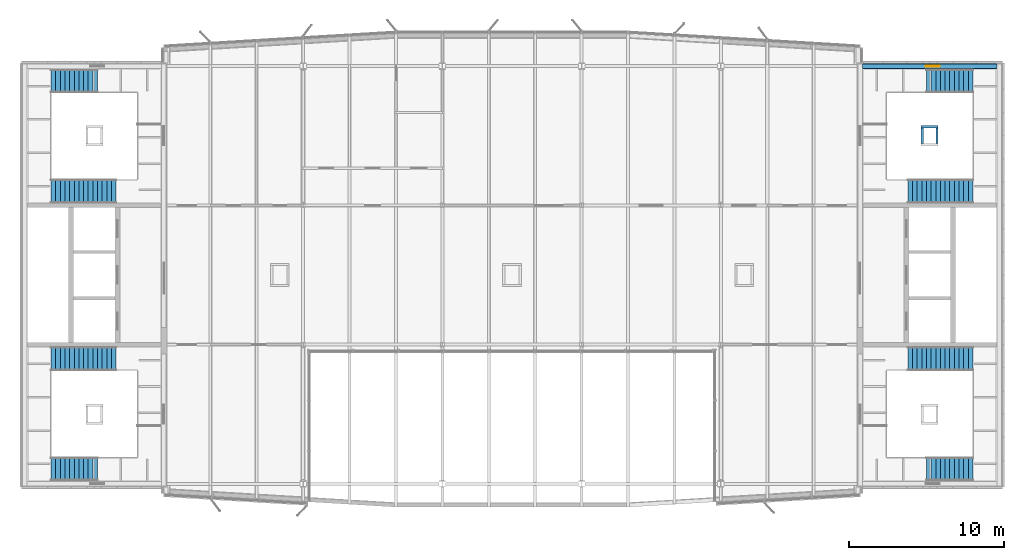
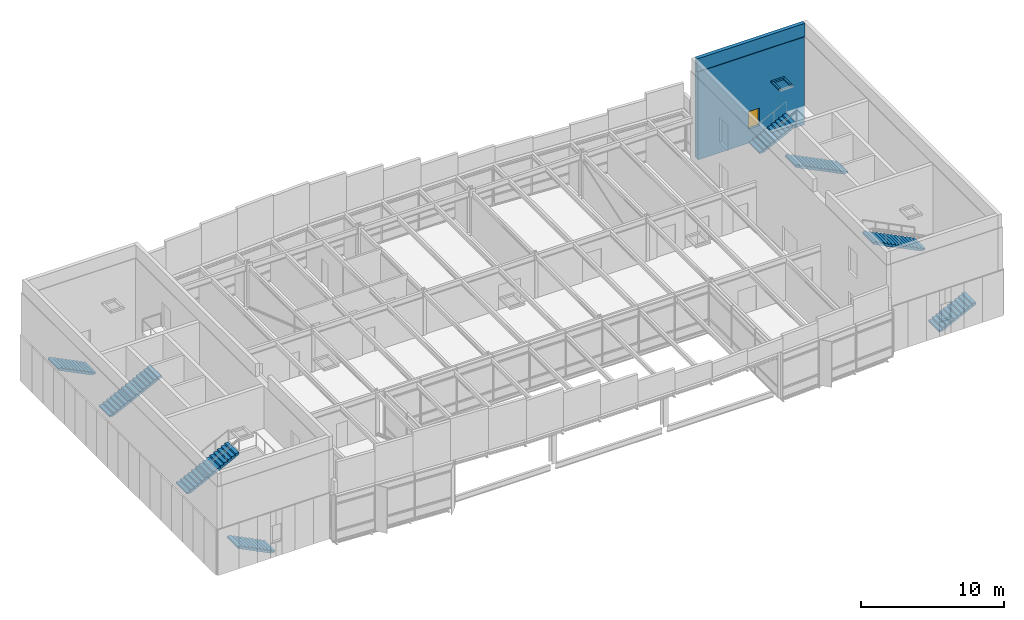
# One storey, part 20 of 23: 8 stair flights, 5 walls, 1 window, 1 opening, 4 elements without a shape of their own.
"""IFC4 building model written with IfcOpenShell, lengths in metres."""

from ifc_helpers import new_model, si_unit, direction, frame, frame_2d, origin, place, context, subcontext, project, spatial, polyline, rectangle, outline, extrude, material, layer, layer_set, type_object, element, fill, aggregate, save


model = new_model("IFC4")

# Units and contexts
model_context = context("Model", 3, precision=1e-05, world=origin(), true_north=direction((0.0, 1.0)))
body_context = subcontext(model_context, "Body", "Model", "MODEL_VIEW")
ifc_project = project(units=[si_unit("LENGTHUNIT", "METRE"), si_unit("AREAUNIT", "SQUARE_METRE"), si_unit("VOLUMEUNIT", "CUBIC_METRE"), si_unit("PLANEANGLEUNIT", "RADIAN"), si_unit("MASSUNIT", "GRAM", prefix="KILO")], contexts=[model_context])

# Site, building, storey
site_placement = place(None, origin())
site = spatial("IfcSite", under=ifc_project, at=site_placement, CompositionType="ELEMENT")
building_placement = place(site_placement, origin())
building = spatial("IfcBuilding", under=site, at=building_placement, Name="Azimuth Sports and Learning Centre", CompositionType="ELEMENT")
storey_placement = place(building_placement, frame((0.0, 0.0, 75.300048828125)))
storey = spatial("IfcBuildingStorey", under=building, at=storey_placement, Name="L17", CompositionType="ELEMENT", Elevation=75.300048828125)

# Wall
ifc_material_1 = material(Name="Reinforced masonry parapet", Category="masonry")
ifc_layer_1 = layer(ifc_material_1, 0.300048828125)
ifc_layer_set_1 = layer_set([ifc_layer_1], Name="Reinforced masonry parapet")
wall_type_1 = type_object("IfcWallType", Name="Parapet wall 300", PredefinedType="PARAPET", material=ifc_layer_set_1)
wall_1_placement = place(storey_placement, frame((108.14990234375, 117.0, 7.5), z_axis=(0.0, 0.0, 1.0), x_axis=(1.0, 0.0, 0.0)))
element("IfcWall", 1, at=wall_1_placement, inside=storey, type_object=wall_type_1, Name="Crown parapet E N", PredefinedType="PARAPET", context=body_context, shape_type="SweptSolid", body=[
    extrude(rectangle(XDim=8.7001953125, YDim=0.300048828125, at=frame_2d((4.35009765625, 0.0))), origin(), (0.0, 0.0, 1.0), 1.099853515625),
])

# Wall, opening, window
ifc_material_2 = material(Name="Concrete C40/50", Category="concrete")
ifc_layer_2 = layer(ifc_material_2, 0.39990234375)
ifc_layer_set_2 = layer_set([ifc_layer_2], Name="Concrete C40/50")
wall_type_2 = type_object("IfcWallType", Name="RC external core wall 400", PredefinedType="SHEAR", material=ifc_layer_set_2)
wall_2_placement = place(storey_placement, frame((108.199951171875, 117.0, 0.0), z_axis=(0.0, 0.0, 1.0), x_axis=(1.0, 0.0, 0.0)))
wall_2 = element("IfcWall", 2, at=wall_2_placement, inside=storey, type_object=wall_type_2, Name="Core wall E N L17", PredefinedType="SHEAR", context=body_context, shape_type="SweptSolid", body=[
    extrude(rectangle(XDim=8.60009765625, YDim=0.39990234375, at=frame_2d((4.300048828125, 0.0))), origin(), (0.0, 0.0, 1.0), 7.5),
])
opening_placement = place(wall_2_placement, frame((4.050048828125, 0.0, 1.199951171875)))
opening = element("IfcOpeningElement", 3, at=opening_placement, cuts=wall_2, Name="Opening W17-003", PredefinedType="OPENING", context=body_context, shape_type="SweptSolid", body=[
    extrude(rectangle(XDim=0.89990234375, YDim=1.5, at=frame_2d((0.449951171875, 0.75))), frame((0.0, 0.2109375, 0.0), z_axis=(0.0, -1.0, 0.0), x_axis=(1.0, 0.0, 0.0)), (0.0, 0.0, 1.0), 0.421875),
])
ifc_material_3 = material(Name="Aluminium and glass", Category="aluminium")
window_type = type_object("IfcWindowType", Name="Stair window tower core 900x1500", PartitioningType="SINGLE_PANEL", PredefinedType="WINDOW", material=ifc_material_3)
window_placement = place(opening_placement, origin())
window = element("IfcWindow", 4, at=window_placement, inside=storey, type_object=window_type, Name="Window W17-003", OverallHeight=1.5, OverallWidth=0.89990234375, PartitioningType="SINGLE_PANEL", PredefinedType="WINDOW", context=body_context, shape_type="SweptSolid", body=[
    extrude(rectangle(XDim=0.89990234375, YDim=1.5, at=frame_2d((0.449951171875, 0.75))), frame((0.0, 0.030029296875, 0.0), z_axis=(0.0, -1.0, 0.0), x_axis=(1.0, 0.0, 0.0)), (0.0, 0.0, 1.0), 0.06005859375),
])
fill(opening, window)

# Walls
ifc_material_4 = material(Name="Insulated upstand")
ifc_layer_3 = layer(ifc_material_4, 0.14990234375)
ifc_layer_set_3 = layer_set([ifc_layer_3], Name="Insulated upstand")
wall_type_3 = type_object("IfcWallType", Name="Rooflight upstand 150", PredefinedType="SOLIDWALL", material=ifc_layer_set_3)
wall_3_placement = place(storey_placement, frame((111.949951171875, 113.074951171875, 7.5), z_axis=(0.0, 0.0, 1.0), x_axis=(1.0, 0.0, 0.0)))
element("IfcWall", 5, at=wall_3_placement, inside=storey, type_object=wall_type_3, Name="Rooflight upstand N", PredefinedType="SOLIDWALL", context=body_context, shape_type="SweptSolid", body=[
    extrude(rectangle(XDim=1.10009765625, YDim=0.14990234375, at=frame_2d((0.550048828125, 0.0))), origin(), (0.0, 0.0, 1.0), 0.14990234375),
])
for number, where, z_axis, x_axis, name in (
    (6, (112.02490234375, 112.0, 7.5), (0.0, 0.0, 1.0), (0.0, 1.0, 0.0), "Rooflight upstand W"),
    (7, (112.97509765625, 112.0, 7.5), (0.0, 0.0, 1.0), (0.0, 1.0, 0.0), "Rooflight upstand E"),
):
    element("IfcWall", number, at=place(storey_placement, frame(where, z_axis=z_axis, x_axis=x_axis)), inside=storey, type_object=wall_type_3, Name=name, PredefinedType="SOLIDWALL", context=body_context, shape_type="SweptSolid", body=[
        extrude(rectangle(XDim=1.0, YDim=0.14990234375, at=frame_2d((0.5, 0.0))), origin(), (0.0, 0.0, 1.0), 0.14990234375),
    ])

# Stair, stair flight
ifc_material_5 = material(Name="Concrete C32/40", Category="concrete")
stair_type = type_object("IfcStairType", Name="Square-well stair core 3900 storey", PredefinedType="THREE_QUARTER_TURN_STAIR", material=ifc_material_5)
stair_1_placement = place(storey_placement, origin())
stair_1 = element("IfcStair", 8, at=stair_1_placement, inside=storey, type_object=stair_type, Name="Stair W1 L17-Roof", PredefinedType="THREE_QUARTER_TURN_STAIR")
ifc_material_6 = material(Name="Concrete C32/40", Category="concrete")
stair_flight_type_1 = type_object("IfcStairFlightType", Name="Stair flight 11 risers", PredefinedType="STRAIGHT", material=ifc_material_6)
stair_flight_1_placement = place(storey_placement, frame((58.7099609375, 90.9599609375, 0.0), z_axis=(0.0, 0.0, 1.0), x_axis=(-1.0, 0.0, 0.0)))
stair_flight_1 = element("IfcStairFlight", 9, at=stair_flight_1_placement, type_object=stair_flight_type_1, Name="Stair W1 L17 flight 1", NumberOfRisers=11, NumberOfTreads=10, PredefinedType="STRAIGHT", RiserHeight=0.15, TreadLength=0.3, context=body_context, shape_type="SweptSolid", body=[
    extrude(outline(polyline([(0.0, 0.0), (0.0, 0.14990234375), (0.300048828125, 0.14990234375), (0.300048828125, 0.300048828125), (0.60009765625, 0.300048828125), (0.60009765625, 0.449951171875), (0.89990234375, 0.449951171875), (0.89990234375, 0.60009765625), (1.199951171875, 0.60009765625), (1.199951171875, 0.75), (1.5, 0.75), (1.5, 0.89990234375), (1.800048828125, 0.89990234375), (1.800048828125, 1.050048828125), (2.10009765625, 1.050048828125), (2.10009765625, 1.199951171875), (2.39990234375, 1.199951171875), (2.39990234375, 1.35009765625), (2.699951171875, 1.35009765625), (2.699951171875, 1.5), (3.0, 1.5), (3.0, 1.64990234375), (3.0, 1.33251953125), (0.335205078125, 0.0), (0.0, 0.0)])), frame((0.0, 0.75, 0.0), z_axis=(0.0, -1.0, 0.0), x_axis=(1.0, 0.0, 0.0)), (0.0, 0.0, 1.0), 1.5),
])

stair_2_placement = place(storey_placement, origin())
stair_2 = element("IfcStair", 10, at=stair_2_placement, inside=storey, type_object=stair_type, Name="Stair W2 L17-Roof", PredefinedType="THREE_QUARTER_TURN_STAIR")
stair_flight_2_placement = place(storey_placement, frame((58.7099609375, 116.0400390625, 0.0), z_axis=(0.0, 0.0, 1.0), x_axis=(-1.0, 0.0, 0.0)))
stair_flight_2 = element("IfcStairFlight", 11, at=stair_flight_2_placement, type_object=stair_flight_type_1, Name="Stair W2 L17 flight 1", NumberOfRisers=11, NumberOfTreads=10, PredefinedType="STRAIGHT", RiserHeight=0.15, TreadLength=0.3, context=body_context, shape_type="SweptSolid", body=[
    extrude(outline(polyline([(0.0, 0.0), (0.0, 0.14990234375), (0.300048828125, 0.14990234375), (0.300048828125, 0.300048828125), (0.60009765625, 0.300048828125), (0.60009765625, 0.449951171875), (0.89990234375, 0.449951171875), (0.89990234375, 0.60009765625), (1.199951171875, 0.60009765625), (1.199951171875, 0.75), (1.5, 0.75), (1.5, 0.89990234375), (1.800048828125, 0.89990234375), (1.800048828125, 1.050048828125), (2.10009765625, 1.050048828125), (2.10009765625, 1.199951171875), (2.39990234375, 1.199951171875), (2.39990234375, 1.35009765625), (2.699951171875, 1.35009765625), (2.699951171875, 1.5), (3.0, 1.5), (3.0, 1.64990234375), (3.0, 1.33251953125), (0.335205078125, 0.0), (0.0, 0.0)])), frame((0.0, 0.75, 0.0), z_axis=(0.0, -1.0, 0.0), x_axis=(1.0, 0.0, 0.0)), (0.0, 0.0, 1.0), 1.5),
])

stair_3_placement = place(storey_placement, origin())
stair_3 = element("IfcStair", 12, at=stair_3_placement, inside=storey, type_object=stair_type, Name="Stair E1 L17-Roof", PredefinedType="THREE_QUARTER_TURN_STAIR")
stair_flight_3_placement = place(storey_placement, frame((112.2900390625, 90.9599609375, 0.0), z_axis=(0.0, 0.0, 1.0), x_axis=(1.0, 0.0, 0.0)))
stair_flight_3 = element("IfcStairFlight", 13, at=stair_flight_3_placement, type_object=stair_flight_type_1, Name="Stair E1 L17 flight 1", NumberOfRisers=11, NumberOfTreads=10, PredefinedType="STRAIGHT", RiserHeight=0.15, TreadLength=0.3, context=body_context, shape_type="SweptSolid", body=[
    extrude(outline(polyline([(0.0, 0.0), (0.0, 0.14990234375), (0.300048828125, 0.14990234375), (0.300048828125, 0.300048828125), (0.60009765625, 0.300048828125), (0.60009765625, 0.449951171875), (0.89990234375, 0.449951171875), (0.89990234375, 0.60009765625), (1.199951171875, 0.60009765625), (1.199951171875, 0.75), (1.5, 0.75), (1.5, 0.89990234375), (1.800048828125, 0.89990234375), (1.800048828125, 1.050048828125), (2.10009765625, 1.050048828125), (2.10009765625, 1.199951171875), (2.39990234375, 1.199951171875), (2.39990234375, 1.35009765625), (2.699951171875, 1.35009765625), (2.699951171875, 1.5), (3.0, 1.5), (3.0, 1.64990234375), (3.0, 1.33251953125), (0.335205078125, 0.0), (0.0, 0.0)])), frame((0.0, 0.75, 0.0), z_axis=(0.0, -1.0, 0.0), x_axis=(1.0, 0.0, 0.0)), (0.0, 0.0, 1.0), 1.5),
])

stair_4_placement = place(storey_placement, origin())
stair_4 = element("IfcStair", 14, at=stair_4_placement, inside=storey, type_object=stair_type, Name="Stair E2 L17-Roof", PredefinedType="THREE_QUARTER_TURN_STAIR")
stair_flight_4_placement = place(storey_placement, frame((112.2900390625, 116.0400390625, 0.0), z_axis=(0.0, 0.0, 1.0), x_axis=(1.0, 0.0, 0.0)))
stair_flight_4 = element("IfcStairFlight", 15, at=stair_flight_4_placement, type_object=stair_flight_type_1, Name="Stair E2 L17 flight 1", NumberOfRisers=11, NumberOfTreads=10, PredefinedType="STRAIGHT", RiserHeight=0.15, TreadLength=0.3, context=body_context, shape_type="SweptSolid", body=[
    extrude(outline(polyline([(0.0, 0.0), (0.0, 0.14990234375), (0.300048828125, 0.14990234375), (0.300048828125, 0.300048828125), (0.60009765625, 0.300048828125), (0.60009765625, 0.449951171875), (0.89990234375, 0.449951171875), (0.89990234375, 0.60009765625), (1.199951171875, 0.60009765625), (1.199951171875, 0.75), (1.5, 0.75), (1.5, 0.89990234375), (1.800048828125, 0.89990234375), (1.800048828125, 1.050048828125), (2.10009765625, 1.050048828125), (2.10009765625, 1.199951171875), (2.39990234375, 1.199951171875), (2.39990234375, 1.35009765625), (2.699951171875, 1.35009765625), (2.699951171875, 1.5), (3.0, 1.5), (3.0, 1.64990234375), (3.0, 1.33251953125), (0.335205078125, 0.0), (0.0, 0.0)])), frame((0.0, 0.75, 0.0), z_axis=(0.0, -1.0, 0.0), x_axis=(1.0, 0.0, 0.0)), (0.0, 0.0, 1.0), 1.5),
])

# Stair flight
ifc_material_7 = material(Name="Concrete C32/40", Category="concrete")
stair_flight_type_2 = type_object("IfcStairFlightType", Name="Stair flight 15 risers", PredefinedType="STRAIGHT", material=ifc_material_7)
stair_flight_5_placement = place(storey_placement, frame((55.7099609375, 98.090087890625, 1.64990234375), z_axis=(0.0, 0.0, 1.0), x_axis=(1.0, 0.0, 0.0)))
stair_flight_5 = element("IfcStairFlight", 16, at=stair_flight_5_placement, type_object=stair_flight_type_2, Name="Stair W1 L17 flight 2", NumberOfRisers=15, NumberOfTreads=14, PredefinedType="STRAIGHT", RiserHeight=0.15, TreadLength=0.3, context=body_context, shape_type="SweptSolid", body=[
    extrude(outline(polyline([(0.0, 0.0), (0.0, 0.14990234375), (0.300048828125, 0.14990234375), (0.300048828125, 0.300048828125), (0.60009765625, 0.300048828125), (0.60009765625, 0.449951171875), (0.89990234375, 0.449951171875), (0.89990234375, 0.60009765625), (1.199951171875, 0.60009765625), (1.199951171875, 0.75), (1.5, 0.75), (1.5, 0.89990234375), (1.800048828125, 0.89990234375), (1.800048828125, 1.050048828125), (2.10009765625, 1.050048828125), (2.10009765625, 1.199951171875), (2.39990234375, 1.199951171875), (2.39990234375, 1.35009765625), (2.699951171875, 1.35009765625), (2.699951171875, 1.5), (3.0, 1.5), (3.0, 1.64990234375), (3.300048828125, 1.64990234375), (3.300048828125, 1.800048828125), (3.60009765625, 1.800048828125), (3.60009765625, 1.949951171875), (3.89990234375, 1.949951171875), (3.89990234375, 2.10009765625), (4.199951171875, 2.10009765625), (4.199951171875, 2.25), (4.199951171875, 1.932373046875), (0.335205078125, 0.0), (0.0, 0.0)])), frame((0.0, 0.75, 0.0), z_axis=(0.0, -1.0, 0.0), x_axis=(1.0, 0.0, 0.0)), (0.0, 0.0, 1.0), 1.5),
])

aggregate(stair_1, [stair_flight_1, stair_flight_5])

stair_flight_6_placement = place(storey_placement, frame((55.7099609375, 108.909912109375, 1.64990234375), z_axis=(0.0, 0.0, 1.0), x_axis=(1.0, 0.0, 0.0)))
stair_flight_6 = element("IfcStairFlight", 17, at=stair_flight_6_placement, type_object=stair_flight_type_2, Name="Stair W2 L17 flight 2", NumberOfRisers=15, NumberOfTreads=14, PredefinedType="STRAIGHT", RiserHeight=0.15, TreadLength=0.3, context=body_context, shape_type="SweptSolid", body=[
    extrude(outline(polyline([(0.0, 0.0), (0.0, 0.14990234375), (0.300048828125, 0.14990234375), (0.300048828125, 0.300048828125), (0.60009765625, 0.300048828125), (0.60009765625, 0.449951171875), (0.89990234375, 0.449951171875), (0.89990234375, 0.60009765625), (1.199951171875, 0.60009765625), (1.199951171875, 0.75), (1.5, 0.75), (1.5, 0.89990234375), (1.800048828125, 0.89990234375), (1.800048828125, 1.050048828125), (2.10009765625, 1.050048828125), (2.10009765625, 1.199951171875), (2.39990234375, 1.199951171875), (2.39990234375, 1.35009765625), (2.699951171875, 1.35009765625), (2.699951171875, 1.5), (3.0, 1.5), (3.0, 1.64990234375), (3.300048828125, 1.64990234375), (3.300048828125, 1.800048828125), (3.60009765625, 1.800048828125), (3.60009765625, 1.949951171875), (3.89990234375, 1.949951171875), (3.89990234375, 2.10009765625), (4.199951171875, 2.10009765625), (4.199951171875, 2.25), (4.199951171875, 1.932373046875), (0.335205078125, 0.0), (0.0, 0.0)])), frame((0.0, 0.75, 0.0), z_axis=(0.0, -1.0, 0.0), x_axis=(1.0, 0.0, 0.0)), (0.0, 0.0, 1.0), 1.5),
])

aggregate(stair_2, [stair_flight_2, stair_flight_6])

stair_flight_7_placement = place(storey_placement, frame((115.2900390625, 98.090087890625, 1.64990234375), z_axis=(0.0, 0.0, 1.0), x_axis=(-1.0, 0.0, 0.0)))
stair_flight_7 = element("IfcStairFlight", 18, at=stair_flight_7_placement, type_object=stair_flight_type_2, Name="Stair E1 L17 flight 2", NumberOfRisers=15, NumberOfTreads=14, PredefinedType="STRAIGHT", RiserHeight=0.15, TreadLength=0.3, context=body_context, shape_type="SweptSolid", body=[
    extrude(outline(polyline([(0.0, 0.0), (0.0, 0.14990234375), (0.300048828125, 0.14990234375), (0.300048828125, 0.300048828125), (0.60009765625, 0.300048828125), (0.60009765625, 0.449951171875), (0.89990234375, 0.449951171875), (0.89990234375, 0.60009765625), (1.199951171875, 0.60009765625), (1.199951171875, 0.75), (1.5, 0.75), (1.5, 0.89990234375), (1.800048828125, 0.89990234375), (1.800048828125, 1.050048828125), (2.10009765625, 1.050048828125), (2.10009765625, 1.199951171875), (2.39990234375, 1.199951171875), (2.39990234375, 1.35009765625), (2.699951171875, 1.35009765625), (2.699951171875, 1.5), (3.0, 1.5), (3.0, 1.64990234375), (3.300048828125, 1.64990234375), (3.300048828125, 1.800048828125), (3.60009765625, 1.800048828125), (3.60009765625, 1.949951171875), (3.89990234375, 1.949951171875), (3.89990234375, 2.10009765625), (4.199951171875, 2.10009765625), (4.199951171875, 2.25), (4.199951171875, 1.932373046875), (0.335205078125, 0.0), (0.0, 0.0)])), frame((0.0, 0.75, 0.0), z_axis=(0.0, -1.0, 0.0), x_axis=(1.0, 0.0, 0.0)), (0.0, 0.0, 1.0), 1.5),
])

aggregate(stair_3, [stair_flight_3, stair_flight_7])

stair_flight_8_placement = place(storey_placement, frame((115.2900390625, 108.909912109375, 1.64990234375), z_axis=(0.0, 0.0, 1.0), x_axis=(-1.0, 0.0, 0.0)))
stair_flight_8 = element("IfcStairFlight", 19, at=stair_flight_8_placement, type_object=stair_flight_type_2, Name="Stair E2 L17 flight 2", NumberOfRisers=15, NumberOfTreads=14, PredefinedType="STRAIGHT", RiserHeight=0.15, TreadLength=0.3, context=body_context, shape_type="SweptSolid", body=[
    extrude(outline(polyline([(0.0, 0.0), (0.0, 0.14990234375), (0.300048828125, 0.14990234375), (0.300048828125, 0.300048828125), (0.60009765625, 0.300048828125), (0.60009765625, 0.449951171875), (0.89990234375, 0.449951171875), (0.89990234375, 0.60009765625), (1.199951171875, 0.60009765625), (1.199951171875, 0.75), (1.5, 0.75), (1.5, 0.89990234375), (1.800048828125, 0.89990234375), (1.800048828125, 1.050048828125), (2.10009765625, 1.050048828125), (2.10009765625, 1.199951171875), (2.39990234375, 1.199951171875), (2.39990234375, 1.35009765625), (2.699951171875, 1.35009765625), (2.699951171875, 1.5), (3.0, 1.5), (3.0, 1.64990234375), (3.300048828125, 1.64990234375), (3.300048828125, 1.800048828125), (3.60009765625, 1.800048828125), (3.60009765625, 1.949951171875), (3.89990234375, 1.949951171875), (3.89990234375, 2.10009765625), (4.199951171875, 2.10009765625), (4.199951171875, 2.25), (4.199951171875, 1.932373046875), (0.335205078125, 0.0), (0.0, 0.0)])), frame((0.0, 0.75, 0.0), z_axis=(0.0, -1.0, 0.0), x_axis=(1.0, 0.0, 0.0)), (0.0, 0.0, 1.0), 1.5),
])

aggregate(stair_4, [stair_flight_4, stair_flight_8])

save(model, "model.ifc")
